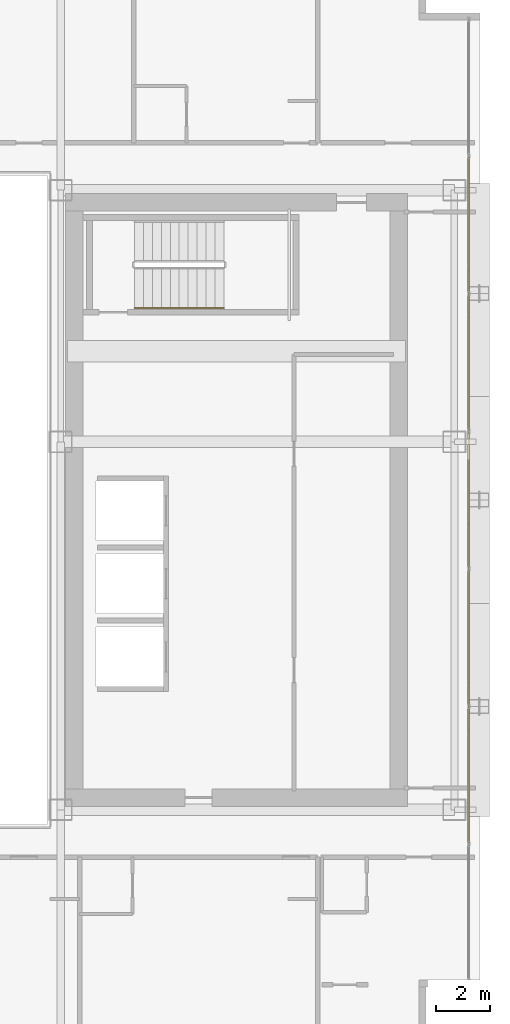
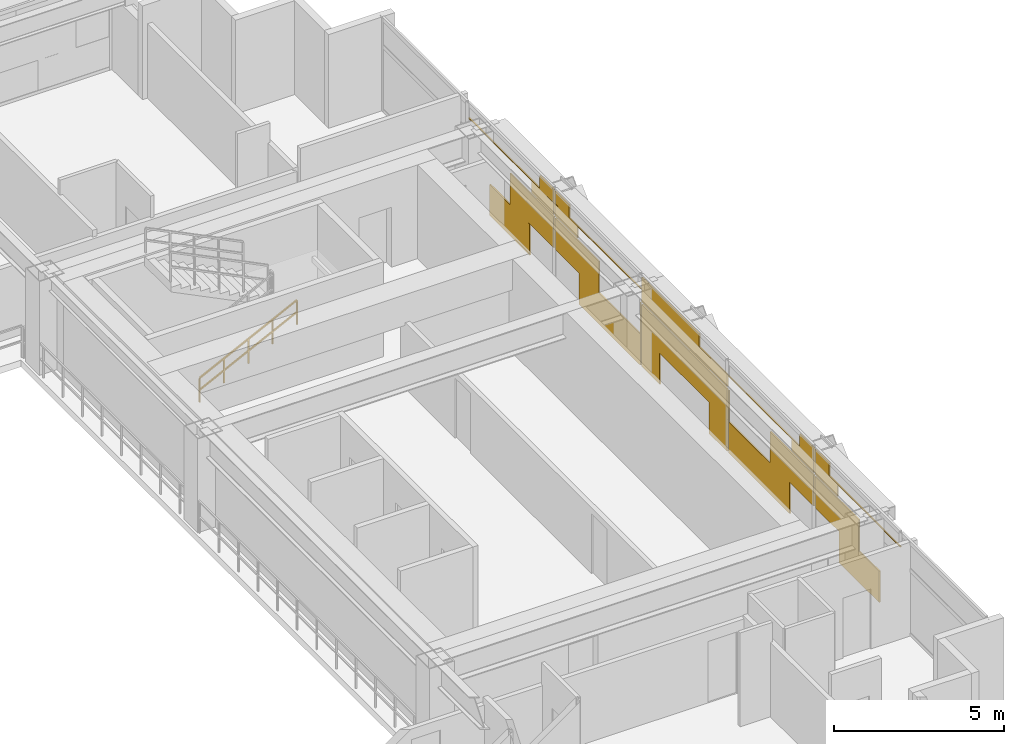
# One storey, part 33 of 34: 1 covering, 1 railing.
"""IFC4 building model written with IfcOpenShell, lengths in metres."""

from ifc_helpers import new_model, si_unit, direction, frame, origin, origin_2d, place, context, subcontext, project, spatial, rectangle, extrude, material, layer, layer_set, type_object, element, save


model = new_model("IFC4")

# Units and contexts
model_context = context("Model", 3, precision=1e-05, world=origin(), true_north=direction((0.0, 1.0)))
body_context = subcontext(model_context, "Body", "Model", "MODEL_VIEW")
ifc_project = project(units=[si_unit("LENGTHUNIT", "METRE"), si_unit("AREAUNIT", "SQUARE_METRE"), si_unit("VOLUMEUNIT", "CUBIC_METRE"), si_unit("PLANEANGLEUNIT", "RADIAN"), si_unit("MASSUNIT", "GRAM", prefix="KILO")], contexts=[model_context])

# Site, building, storey
site_placement = place(None, origin())
site = spatial("IfcSite", under=ifc_project, at=site_placement, CompositionType="ELEMENT")
building_placement = place(site_placement, origin())
building = spatial("IfcBuilding", under=site, at=building_placement, Name="Ocotamira Hotel", CompositionType="ELEMENT")
storey_placement = place(building_placement, frame((0.0, 0.0, 111.60009765625)))
storey = spatial("IfcBuildingStorey", under=building, at=storey_placement, Name="L27", CompositionType="ELEMENT", Elevation=111.60009765625)

# Covering
ifc_material_1 = material(Name="Insulated pale-metal aluminium spandrel panel", Category="aluminium")
ifc_layer = layer(ifc_material_1, 0.044921875)
ifc_layer_set = layer_set([ifc_layer], Name="Insulated pale-metal aluminium spandrel panel")
covering_type = type_object("IfcCoveringType", Name="COV-INFILL-45", PredefinedType="CLADDING", material=ifc_layer_set)
covering_placement = place(storey_placement, origin())
element("IfcCovering", 1, at=covering_placement, inside=storey, type_object=covering_type, Name="L27 Curtain Wall Infill CW-3 CW-L27-E", PredefinedType="CLADDING", context=body_context, shape_type="SweptSolid", body=[
    extrude(rectangle(XDim=2.35107421875, YDim=0.044921875, at=origin_2d()), frame((55.580078125, 15.741943359375, 0.0751953125), z_axis=(0.0, 0.0, 1.0), x_axis=(0.0, 1.0, 0.0)), (0.0, 0.0, 1.0), 1.117919921875),
    extrude(rectangle(XDim=2.578369140625, YDim=0.044921875, at=origin_2d()), frame((55.580078125, 17.041748046875, 1.194091796875), z_axis=(0.0, 0.0, 1.0), x_axis=(0.0, 1.0, 0.0)), (0.0, 0.0, 1.0), 1.11767578125),
    extrude(rectangle(XDim=5.004638671875, YDim=0.044921875, at=origin_2d()), frame((55.580078125, 15.82861328125, 2.80224609375), z_axis=(0.0, 0.0, 1.0), x_axis=(0.0, 1.0, 0.0)), (0.0, 0.0, 1.0), 0.033203125),
    extrude(rectangle(XDim=1.312744140625, YDim=0.044921875, at=origin_2d()), frame((55.580078125, 17.674560546875, 2.3876953125), z_axis=(0.0, 0.0, 1.0), x_axis=(0.0, 1.0, 0.0)), (0.0, 0.0, 1.0), 0.413330078125),
    extrude(rectangle(XDim=0.837158203125, YDim=0.044921875, at=origin_2d()), frame((55.580078125, 17.912353515625, 2.836669921875), z_axis=(0.0, 0.0, 1.0), x_axis=(0.0, 1.0, 0.0)), (0.0, 0.0, 1.0), 0.44775390625),
    extrude(rectangle(XDim=2.568603515625, YDim=0.044921875, at=origin_2d()), frame((55.580078125, 19.6962890625, 1.194091796875), z_axis=(0.0, 0.0, 1.0), x_axis=(0.0, 1.0, 0.0)), (0.0, 0.0, 1.0), 1.11767578125),
    extrude(rectangle(XDim=3.600830078125, YDim=0.044921875, at=origin_2d()), frame((55.580078125, 21.6162109375, 0.0751953125), z_axis=(0.0, 0.0, 1.0), x_axis=(0.0, 1.0, 0.0)), (0.0, 0.0, 1.0), 1.117919921875),
    extrude(rectangle(XDim=0.03076171875, YDim=0.044921875, at=origin_2d()), frame((55.580078125, 23.4013671875, 1.194091796875), z_axis=(0.0, 0.0, 1.0), x_axis=(0.0, 1.0, 0.0)), (0.0, 0.0, 1.0), 1.11767578125),
    extrude(rectangle(XDim=1.302978515625, YDim=0.044921875, at=origin_2d()), frame((55.580078125, 19.0634765625, 2.3876953125), z_axis=(0.0, 0.0, 1.0), x_axis=(0.0, 1.0, 0.0)), (0.0, 0.0, 1.0), 0.413330078125),
    extrude(rectangle(XDim=5.004638671875, YDim=0.044921875, at=origin_2d()), frame((55.580078125, 20.914306640625, 2.80224609375), z_axis=(0.0, 0.0, 1.0), x_axis=(0.0, 1.0, 0.0)), (0.0, 0.0, 1.0), 0.033203125),
    extrude(rectangle(XDim=0.827392578125, YDim=0.044921875, at=origin_2d()), frame((55.580078125, 18.82568359375, 2.836669921875), z_axis=(0.0, 0.0, 1.0), x_axis=(0.0, 1.0, 0.0)), (0.0, 0.0, 1.0), 0.44775390625),
    extrude(rectangle(XDim=1.05322265625, YDim=0.044921875, at=origin_2d()), frame((55.580078125, 24.0244140625, 0.0751953125), z_axis=(0.0, 0.0, 1.0), x_axis=(0.0, 1.0, 0.0)), (0.0, 0.0, 1.0), 1.117919921875),
    extrude(rectangle(XDim=5.004638671875, YDim=0.044921875, at=origin_2d()), frame((55.580078125, 26.0, 1.194091796875), z_axis=(0.0, 0.0, 1.0), x_axis=(0.0, 1.0, 0.0)), (0.0, 0.0, 1.0), 1.11767578125),
    extrude(rectangle(XDim=1.05322265625, YDim=0.044921875, at=origin_2d()), frame((55.580078125, 27.9755859375, 0.0751953125), z_axis=(0.0, 0.0, 1.0), x_axis=(0.0, 1.0, 0.0)), (0.0, 0.0, 1.0), 1.117919921875),
    extrude(rectangle(XDim=5.004638671875, YDim=0.044921875, at=origin_2d()), frame((55.580078125, 26.0, 2.387939453125), z_axis=(0.0, 0.0, 1.0), x_axis=(0.0, 1.0, 0.0)), (0.0, 0.0, 1.0), 0.44775390625),
    extrude(rectangle(XDim=3.375, YDim=0.044921875, at=origin_2d()), frame((55.580078125, 26.814697265625, 2.836669921875), z_axis=(0.0, 0.0, 1.0), x_axis=(0.0, 1.0, 0.0)), (0.0, 0.0, 1.0), 0.44775390625),
    extrude(rectangle(XDim=3.600830078125, YDim=0.044921875, at=origin_2d()), frame((55.580078125, 30.3837890625, 0.0751953125), z_axis=(0.0, 0.0, 1.0), x_axis=(0.0, 1.0, 0.0)), (0.0, 0.0, 1.0), 1.117919921875),
    extrude(rectangle(XDim=0.03076171875, YDim=0.044921875, at=origin_2d()), frame((55.580078125, 28.5986328125, 1.194091796875), z_axis=(0.0, 0.0, 1.0), x_axis=(0.0, 1.0, 0.0)), (0.0, 0.0, 1.0), 1.11767578125),
    extrude(rectangle(XDim=2.568603515625, YDim=0.044921875, at=origin_2d()), frame((55.580078125, 32.3037109375, 1.194091796875), z_axis=(0.0, 0.0, 1.0), x_axis=(0.0, 1.0, 0.0)), (0.0, 0.0, 1.0), 1.11767578125),
    extrude(rectangle(XDim=5.004638671875, YDim=0.044921875, at=origin_2d()), frame((55.580078125, 31.085693359375, 2.80224609375), z_axis=(0.0, 0.0, 1.0), x_axis=(0.0, 1.0, 0.0)), (0.0, 0.0, 1.0), 0.033203125),
    extrude(rectangle(XDim=1.302978515625, YDim=0.044921875, at=origin_2d()), frame((55.580078125, 32.9365234375, 2.3876953125), z_axis=(0.0, 0.0, 1.0), x_axis=(0.0, 1.0, 0.0)), (0.0, 0.0, 1.0), 0.413330078125),
    extrude(rectangle(XDim=0.827392578125, YDim=0.044921875, at=origin_2d()), frame((55.580078125, 33.17431640625, 2.836669921875), z_axis=(0.0, 0.0, 1.0), x_axis=(0.0, 1.0, 0.0)), (0.0, 0.0, 1.0), 0.44775390625),
    extrude(rectangle(XDim=2.578369140625, YDim=0.044921875, at=origin_2d()), frame((55.580078125, 34.958251953125, 1.194091796875), z_axis=(0.0, 0.0, 1.0), x_axis=(0.0, 1.0, 0.0)), (0.0, 0.0, 1.0), 1.11767578125),
    extrude(rectangle(XDim=2.35107421875, YDim=0.044921875, at=origin_2d()), frame((55.580078125, 36.258056640625, 0.0751953125), z_axis=(0.0, 0.0, 1.0), x_axis=(0.0, 1.0, 0.0)), (0.0, 0.0, 1.0), 1.117919921875),
    extrude(rectangle(XDim=1.312744140625, YDim=0.044921875, at=origin_2d()), frame((55.580078125, 34.325439453125, 2.3876953125), z_axis=(0.0, 0.0, 1.0), x_axis=(0.0, 1.0, 0.0)), (0.0, 0.0, 1.0), 0.413330078125),
    extrude(rectangle(XDim=5.004638671875, YDim=0.044921875, at=origin_2d()), frame((55.580078125, 36.17138671875, 2.80224609375), z_axis=(0.0, 0.0, 1.0), x_axis=(0.0, 1.0, 0.0)), (0.0, 0.0, 1.0), 0.033203125),
    extrude(rectangle(XDim=0.837158203125, YDim=0.044921875, at=origin_2d()), frame((55.580078125, 34.087646484375, 2.836669921875), z_axis=(0.0, 0.0, 1.0), x_axis=(0.0, 1.0, 0.0)), (0.0, 0.0, 1.0), 0.44775390625),
])

# Railing
ifc_material_2 = material(Name="Brushed stainless steel handrail", Category="steel")
railing_type = type_object("IfcRailingType", Name="RL-HAND-900", PredefinedType="HANDRAIL", material=ifc_material_2)
railing_placement = place(storey_placement, frame((43.22998046875, 33.10009765625, 0.3271484375)))
element("IfcRailing", 2, at=railing_placement, inside=storey, type_object=railing_type, Name="L27 ST-4 stair handrail 1", PredefinedType="HANDRAIL", context=body_context, shape_type="SweptSolid", body=[
    extrude(rectangle(XDim=0.048095703125, YDim=0.048095703125, at=origin_2d()), frame((0.0, 0.0, 0.8759765625), z_axis=(0.895893744519, 0.0, 0.4442683857), x_axis=(0.0, 1.0, 0.0)), (0.0, 0.0, 1.0), 3.68359375),
    extrude(rectangle(XDim=0.048095703125, YDim=0.048095703125, at=origin_2d()), frame((0.0, 0.0, 0.449951171875), z_axis=(0.895893744519, 0.0, 0.4442683857), x_axis=(0.0, 1.0, 0.0)), (0.0, 0.0, 1.0), 3.68359375),
    extrude(rectangle(XDim=0.0419921875, YDim=0.0419921875, at=origin_2d()), origin(), (0.0, 0.0, 1.0), 0.851806640625),
    extrude(rectangle(XDim=0.0419921875, YDim=0.0419921875, at=origin_2d()), frame((0.824951171875, 0.0, 0.4091796875)), (0.0, 0.0, 1.0), 0.851806640625),
    extrude(rectangle(XDim=0.0419921875, YDim=0.0419921875, at=origin_2d()), frame((1.64990234375, 0.0, 0.818359375)), (0.0, 0.0, 1.0), 0.851806640625),
    extrude(rectangle(XDim=0.0419921875, YDim=0.0419921875, at=origin_2d()), frame((2.47509765625, 0.0, 1.227294921875)), (0.0, 0.0, 1.0), 0.851806640625),
    extrude(rectangle(XDim=0.0419921875, YDim=0.0419921875, at=origin_2d()), frame((3.300048828125, 0.0, 1.636474609375)), (0.0, 0.0, 1.0), 0.851806640625),
])

save(model, "model.ifc")
